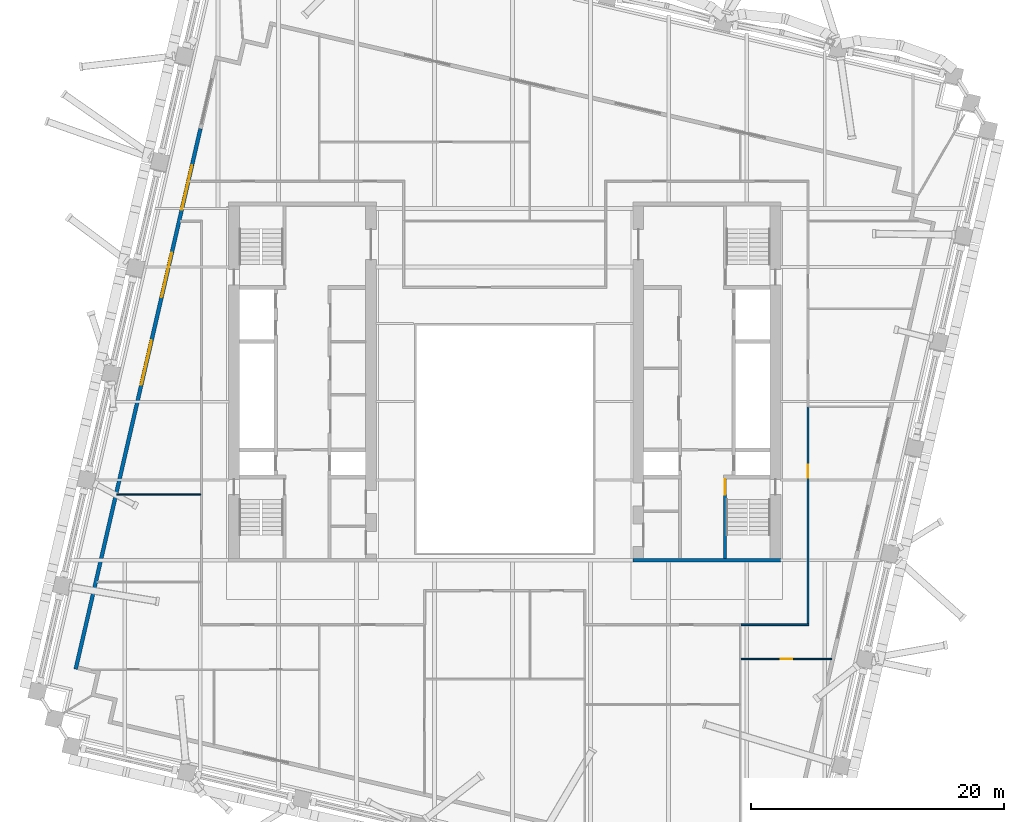
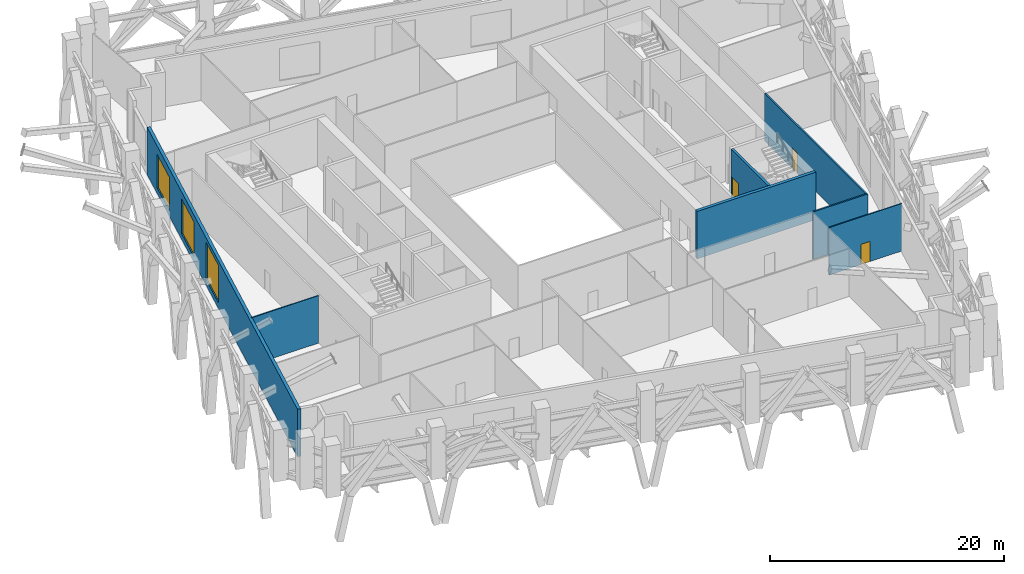
# One storey, part 7 of 20: 7 walls, 3 doors, 3 windows, 6 openings.
"""IFC4 building model written with IfcOpenShell, lengths in metres."""

from ifc_helpers import new_model, si_unit, direction, frame, frame_2d, origin, place, context, subcontext, project, spatial, rectangle, extrude, material, layer, layer_set, type_object, element, fill, save


model = new_model("IFC4")

# Units and contexts
model_context = context("Model", 3, precision=1e-05, world=origin(), true_north=direction((0.0, 1.0)))
body_context = subcontext(model_context, "Body", "Model", "MODEL_VIEW")
ifc_project = project(units=[si_unit("LENGTHUNIT", "METRE"), si_unit("AREAUNIT", "SQUARE_METRE"), si_unit("VOLUMEUNIT", "CUBIC_METRE"), si_unit("PLANEANGLEUNIT", "RADIAN"), si_unit("MASSUNIT", "GRAM", prefix="KILO")], contexts=[model_context])

# Site, building, storey
site_placement = place(None, origin())
site = spatial("IfcSite", under=ifc_project, at=site_placement, CompositionType="ELEMENT")
building_placement = place(site_placement, origin())
building = spatial("IfcBuilding", under=site, at=building_placement, Name="Ogive Exchange Tower", CompositionType="ELEMENT")
storey_placement = place(building_placement, frame((0.0, 0.0, 160.199951171875)))
storey = spatial("IfcBuildingStorey", under=building, at=storey_placement, Name="L35", CompositionType="ELEMENT", Elevation=160.199951171875)

# Wall
ifc_material_1 = material(Name="Fire partition EI 60 150")
ifc_layer_1 = layer(ifc_material_1, 0.14990234375)
ifc_layer_set_1 = layer_set([ifc_layer_1], Name="Fire partition EI 60 150")
wall_type_1 = type_object("IfcWallType", Name="Fire partition EI 60 150", PredefinedType="PARTITIONING", material=ifc_layer_set_1)
wall_1_placement = place(storey_placement, frame((24.074951171875, -7.699951171875, 0.0), z_axis=(0.0, 0.0, 1.0), x_axis=(-1.0, 0.0, 0.0)))
element("IfcWall", 1, at=wall_1_placement, inside=storey, type_object=wall_type_1, Name="L35-PWL-052", PredefinedType="PARTITIONING", context=body_context, shape_type="SweptSolid", body=[
    extrude(rectangle(XDim=5.375, YDim=0.14990234375, at=frame_2d((2.6875, 0.0))), origin(), (0.0, 0.0, 1.0), 4.949951171875),
])

# Wall, opening, door
wall_2_placement = place(storey_placement, frame((24.0, 9.60009765625, 0.0), z_axis=(0.0, 0.0, 1.0), x_axis=(0.0, -1.0, 0.0)))
wall_2 = element("IfcWall", 2, at=wall_2_placement, inside=storey, type_object=wall_type_1, Name="L35-PWL-053", PredefinedType="PARTITIONING", context=body_context, shape_type="SweptSolid", body=[
    extrude(rectangle(XDim=17.22509765625, YDim=0.14990234375, at=frame_2d((8.612548828125, 0.0))), origin(), (0.0, 0.0, 1.0), 4.949951171875),
])
opening_1_placement = place(wall_2_placement, frame((4.64990234375, 0.0, 0.0)))
opening_1 = element("IfcOpeningElement", 3, at=opening_1_placement, cuts=wall_2, Name="Opening L35-I02", PredefinedType="OPENING", context=body_context, shape_type="SweptSolid", body=[
    extrude(rectangle(XDim=1.0, YDim=2.10009765625, at=frame_2d((0.5, 1.050048828125))), frame((0.0, 0.0849609375, 0.0), z_axis=(0.0, -1.0, 0.0), x_axis=(1.0, 0.0, 0.0)), (0.0, 0.0, 1.0), 0.169921875),
])
ifc_material_2 = material(Name="Fire door FD 30S 1000 x 2100")
door_type_1 = type_object("IfcDoorType", Name="Fire door FD 30S 1000 x 2100", OperationType="NOTDEFINED", PredefinedType="DOOR", material=ifc_material_2)
door_1_placement = place(opening_1_placement, origin())
door_1 = element("IfcDoor", 4, at=door_1_placement, inside=storey, type_object=door_type_1, Name="L35-IDR-002", ObjectType="DT3", OperationType="SINGLE_SWING_LEFT", OverallHeight=2.10009765625, OverallWidth=1.0, PredefinedType="DOOR", context=body_context, shape_type="SweptSolid", body=[
    extrude(rectangle(XDim=1.0, YDim=2.10009765625, at=frame_2d((0.5, 1.050048828125))), frame((0.0, 0.02490234375, 0.0), z_axis=(0.0, -1.0, 0.0), x_axis=(1.0, 0.0, 0.0)), (0.0, 0.0, 1.0), 0.050048828125),
])
fill(opening_1, door_1)

# Wall, openings, windows
ifc_material_3 = material(Name="Precast concrete C40/50", Category="concrete")
ifc_layer_2 = layer(ifc_material_3, 0.300048828125)
ifc_layer_set_2 = layer_set([ifc_layer_2], Name="Limestone-faced wall 300")
wall_type_2 = type_object("IfcWallType", Name="Limestone-faced wall 300", PredefinedType="STANDARD", material=ifc_layer_set_2)
wall_3_placement = place(storey_placement, frame((-24.07958984375, 31.56201171875, 0.0), z_axis=(0.0, 0.0, 1.0), x_axis=(-0.224949667351, -0.974370384997, 0.0)))
wall_3 = element("IfcWall", 5, at=wall_3_placement, inside=storey, type_object=wall_type_2, Name="External wall W4", PredefinedType="STANDARD", context=body_context, shape_type="SweptSolid", body=[
    extrude(rectangle(XDim=43.903076171875, YDim=0.300048828125, at=frame_2d((21.95166015625, 0.0))), origin(), (0.0, 0.0, 1.0), 4.949951171875),
])
opening_2_placement = place(wall_3_placement, frame((2.974365234375, 0.0, 0.60009765625)))
opening_2 = element("IfcOpeningElement", 6, at=opening_2_placement, cuts=wall_3, Name="Opening LV1F", PredefinedType="OPENING", context=body_context, shape_type="SweptSolid", body=[
    extrude(rectangle(XDim=3.60009765625, YDim=3.47509765625, at=frame_2d((1.800048828125, 1.737548828125))), frame((0.0, 0.159912109375, 0.0), z_axis=(0.0, -1.0, 0.0), x_axis=(1.0, 0.0, 0.0)), (0.0, 0.0, 1.0), 0.320068359375),
])
opening_3_placement = place(wall_3_placement, frame((10.088623046875, 0.0, 0.60009765625)))
opening_3 = element("IfcOpeningElement", 7, at=opening_3_placement, cuts=wall_3, Name="Opening LV1D", PredefinedType="OPENING", context=body_context, shape_type="SweptSolid", body=[
    extrude(rectangle(XDim=3.60009765625, YDim=3.625, at=frame_2d((1.800048828125, 1.8125))), frame((0.0, 0.159912109375, 0.0), z_axis=(0.0, -1.0, 0.0), x_axis=(1.0, 0.0, 0.0)), (0.0, 0.0, 1.0), 0.320068359375),
])
opening_4_placement = place(wall_3_placement, frame((17.202880859375, 0.0, 0.60009765625)))
opening_4 = element("IfcOpeningElement", 8, at=opening_4_placement, cuts=wall_3, Name="Opening LV1", PredefinedType="OPENING", context=body_context, shape_type="SweptSolid", body=[
    extrude(rectangle(XDim=3.60009765625, YDim=3.89990234375, at=frame_2d((1.800048828125, 1.949951171875))), frame((0.0, 0.159912109375, 0.0), z_axis=(0.0, -1.0, 0.0), x_axis=(1.0, 0.0, 0.0)), (0.0, 0.0, 1.0), 0.320068359375),
])
ifc_material_4 = material(Name="Anodised aluminium louvre", Category="aluminium")
window_type_1 = type_object("IfcWindowType", Name="Plant louvre 3600 x 3475", PartitioningType="DOUBLE_PANEL_HORIZONTAL", PredefinedType="WINDOW", material=ifc_material_4)
window_1_placement = place(opening_2_placement, origin())
window_1 = element("IfcWindow", 9, at=window_1_placement, inside=storey, type_object=window_type_1, Name="Louvre W01", OverallHeight=3.47509765625, OverallWidth=3.60009765625, PartitioningType="DOUBLE_PANEL_HORIZONTAL", PredefinedType="WINDOW", context=body_context, shape_type="SweptSolid", body=[
    extrude(rectangle(XDim=3.60009765625, YDim=3.47509765625, at=frame_2d((1.800048828125, 1.737548828125))), frame((0.0, 0.030029296875, 0.0), z_axis=(0.0, -1.0, 0.0), x_axis=(1.0, 0.0, 0.0)), (0.0, 0.0, 1.0), 0.06005859375),
])
fill(opening_2, window_1)
window_type_2 = type_object("IfcWindowType", Name="Plant louvre 3600 x 3625", PartitioningType="DOUBLE_PANEL_HORIZONTAL", PredefinedType="WINDOW", material=ifc_material_4)
window_2_placement = place(opening_3_placement, origin())
window_2 = element("IfcWindow", 10, at=window_2_placement, inside=storey, type_object=window_type_2, Name="Louvre W02", OverallHeight=3.625, OverallWidth=3.60009765625, PartitioningType="DOUBLE_PANEL_HORIZONTAL", PredefinedType="WINDOW", context=body_context, shape_type="SweptSolid", body=[
    extrude(rectangle(XDim=3.60009765625, YDim=3.625, at=frame_2d((1.800048828125, 1.8125))), frame((0.0, 0.030029296875, 0.0), z_axis=(0.0, -1.0, 0.0), x_axis=(1.0, 0.0, 0.0)), (0.0, 0.0, 1.0), 0.06005859375),
])
fill(opening_3, window_2)
window_type_3 = type_object("IfcWindowType", Name="Plant louvre 3600 x 3900", PartitioningType="DOUBLE_PANEL_HORIZONTAL", PredefinedType="WINDOW", material=ifc_material_4)
window_3_placement = place(opening_4_placement, origin())
window_3 = element("IfcWindow", 11, at=window_3_placement, inside=storey, type_object=window_type_3, Name="Louvre W03", OverallHeight=3.89990234375, OverallWidth=3.60009765625, PartitioningType="DOUBLE_PANEL_HORIZONTAL", PredefinedType="WINDOW", context=body_context, shape_type="SweptSolid", body=[
    extrude(rectangle(XDim=3.60009765625, YDim=3.89990234375, at=frame_2d((1.800048828125, 1.949951171875))), frame((0.0, 0.030029296875, 0.0), z_axis=(0.0, -1.0, 0.0), x_axis=(1.0, 0.0, 0.0)), (0.0, 0.0, 1.0), 0.06005859375),
])
fill(opening_4, window_3)

# Wall
ifc_material_5 = material(Name="Partition 100 gypsum")
ifc_layer_3 = layer(ifc_material_5, 0.10009765625)
ifc_layer_set_3 = layer_set([ifc_layer_3], Name="Partition 100 gypsum")
wall_type_3 = type_object("IfcWallType", Name="Partition 100 gypsum", PredefinedType="PARTITIONING", material=ifc_layer_set_3)
wall_4_placement = place(storey_placement, frame((-24.074951171875, 2.610107421875, 0.0), z_axis=(0.0, 0.0, 1.0), x_axis=(-1.0, 0.0, 0.0)))
element("IfcWall", 12, at=wall_4_placement, inside=storey, type_object=wall_type_3, Name="L35-PWL-005", PredefinedType="PARTITIONING", context=body_context, shape_type="SweptSolid", body=[
    extrude(rectangle(XDim=6.616943359375, YDim=0.10009765625, at=frame_2d((3.30859375, 0.0))), origin(), (0.0, 0.0, 1.0), 4.949951171875),
])

# Wall, opening, door
wall_5_placement = place(storey_placement, frame((18.699951171875, -10.409912109375, 0.0), z_axis=(0.0, 0.0, 1.0), x_axis=(1.0, 0.0, 0.0)))
wall_5 = element("IfcWall", 13, at=wall_5_placement, inside=storey, type_object=wall_type_3, Name="L35-PWL-048", PredefinedType="PARTITIONING", context=body_context, shape_type="SweptSolid", body=[
    extrude(rectangle(XDim=7.18994140625, YDim=0.10009765625, at=frame_2d((3.594970703125, 0.0))), origin(), (0.0, 0.0, 1.0), 4.949951171875),
])
opening_5_placement = place(wall_5_placement, frame((3.14990234375, 0.0, 0.0)))
opening_5 = element("IfcOpeningElement", 14, at=opening_5_placement, cuts=wall_5, Name="Opening L35-I01", PredefinedType="OPENING", context=body_context, shape_type="SweptSolid", body=[
    extrude(rectangle(XDim=0.89990234375, YDim=2.10009765625, at=frame_2d((0.449951171875, 1.050048828125))), frame((0.0, 0.06005859375, 0.0), z_axis=(0.0, -1.0, 0.0), x_axis=(1.0, 0.0, 0.0)), (0.0, 0.0, 1.0), 0.1201171875),
])
ifc_material_6 = material(Name="Door 900 x 2100")
door_type_2 = type_object("IfcDoorType", Name="Door 900 x 2100", OperationType="NOTDEFINED", PredefinedType="DOOR", material=ifc_material_6)
door_2_placement = place(opening_5_placement, frame((0.89990234375, 0.0, 0.0), z_axis=(0.0, 0.0, 1.0), x_axis=(-1.0, 0.0, 0.0)))
door_2 = element("IfcDoor", 15, at=door_2_placement, inside=storey, type_object=door_type_2, Name="L35-IDR-001", ObjectType="DT1", OperationType="SINGLE_SWING_RIGHT", OverallHeight=2.10009765625, OverallWidth=0.89990234375, PredefinedType="DOOR", context=body_context, shape_type="SweptSolid", body=[
    extrude(rectangle(XDim=0.89990234375, YDim=2.10009765625, at=frame_2d((0.449951171875, 1.050048828125))), frame((0.0, 0.02490234375, 0.0), z_axis=(0.0, -1.0, 0.0), x_axis=(1.0, 0.0, 0.0)), (0.0, 0.0, 1.0), 0.050048828125),
])
fill(opening_5, door_2)

ifc_material_7 = material(Name="Concrete C70/85", Category="concrete")
ifc_layer_4 = layer(ifc_material_7, 0.25)
ifc_layer_set_4 = layer_set([ifc_layer_4], Name="RC core wall 250 C70/85")
wall_type_4 = type_object("IfcWallType", Name="RC core wall 250 C70/85", PredefinedType="SHEAR", material=ifc_layer_set_4)
wall_6_placement = place(storey_placement, frame((17.425048828125, -2.449951171875, 0.0), z_axis=(0.0, 0.0, 1.0), x_axis=(0.0, 1.0, 0.0)))
wall_6 = element("IfcWall", 16, at=wall_6_placement, inside=storey, type_object=wall_type_4, Name="E stair S front wall", PredefinedType="SHEAR", context=body_context, shape_type="SweptSolid", body=[
    extrude(rectangle(XDim=6.300048828125, YDim=0.25, at=frame_2d((3.14990234375, 0.0))), origin(), (0.0, 0.0, 1.0), 4.949951171875),
])
opening_6_placement = place(wall_6_placement, frame((5.050048828125, 0.0, 0.0)))
opening_6 = element("IfcOpeningElement", 17, at=opening_6_placement, cuts=wall_6, Name="Opening L35-C24", PredefinedType="OPENING", context=body_context, shape_type="SweptSolid", body=[
    extrude(rectangle(XDim=1.199951171875, YDim=2.10009765625, at=frame_2d((0.60009765625, 1.050048828125))), frame((0.0, 0.135009765625, 0.0), z_axis=(0.0, -1.0, 0.0), x_axis=(1.0, 0.0, 0.0)), (0.0, 0.0, 1.0), 0.27001953125),
])
ifc_material_8 = material(Name="Steel fire door", Category="steel")
door_type_3 = type_object("IfcDoorType", Name="Stair door FD90 1200 x 2100", OperationType="NOTDEFINED", PredefinedType="DOOR", material=ifc_material_8)
door_3_placement = place(opening_6_placement, frame((1.199951171875, 0.0, 0.0), z_axis=(0.0, 0.0, 1.0), x_axis=(-1.0, 0.0, 0.0)))
door_3 = element("IfcDoor", 18, at=door_3_placement, inside=storey, type_object=door_type_3, Name="Stair door", ObjectType="CD5", OperationType="SINGLE_SWING_RIGHT", OverallHeight=2.10009765625, OverallWidth=1.199951171875, PredefinedType="DOOR", context=body_context, shape_type="SweptSolid", body=[
    extrude(rectangle(XDim=1.199951171875, YDim=2.10009765625, at=frame_2d((0.60009765625, 1.050048828125))), frame((0.0, 0.02490234375, 0.0), z_axis=(0.0, -1.0, 0.0), x_axis=(1.0, 0.0, 0.0)), (0.0, 0.0, 1.0), 0.050048828125),
])
fill(opening_6, door_3)

# Wall
ifc_layer_5 = layer(ifc_material_7, 0.300048828125)
ifc_layer_set_5 = layer_set([ifc_layer_5], Name="RC core wall 300 C70/85")
wall_type_5 = type_object("IfcWallType", Name="RC core wall 300 C70/85", PredefinedType="SHEAR", material=ifc_layer_set_5)
wall_7_placement = place(storey_placement, frame((10.14990234375, -2.60009765625, 0.0), z_axis=(0.0, 0.0, 1.0), x_axis=(1.0, 0.0, 0.0)))
element("IfcWall", 19, at=wall_7_placement, inside=storey, type_object=wall_type_5, Name="E south end wall", PredefinedType="SHEAR", context=body_context, shape_type="SweptSolid", body=[
    extrude(rectangle(XDim=11.7001953125, YDim=0.300048828125, at=frame_2d((5.85009765625, 0.0))), origin(), (0.0, 0.0, 1.0), 4.949951171875),
])

save(model, "model.ifc")
